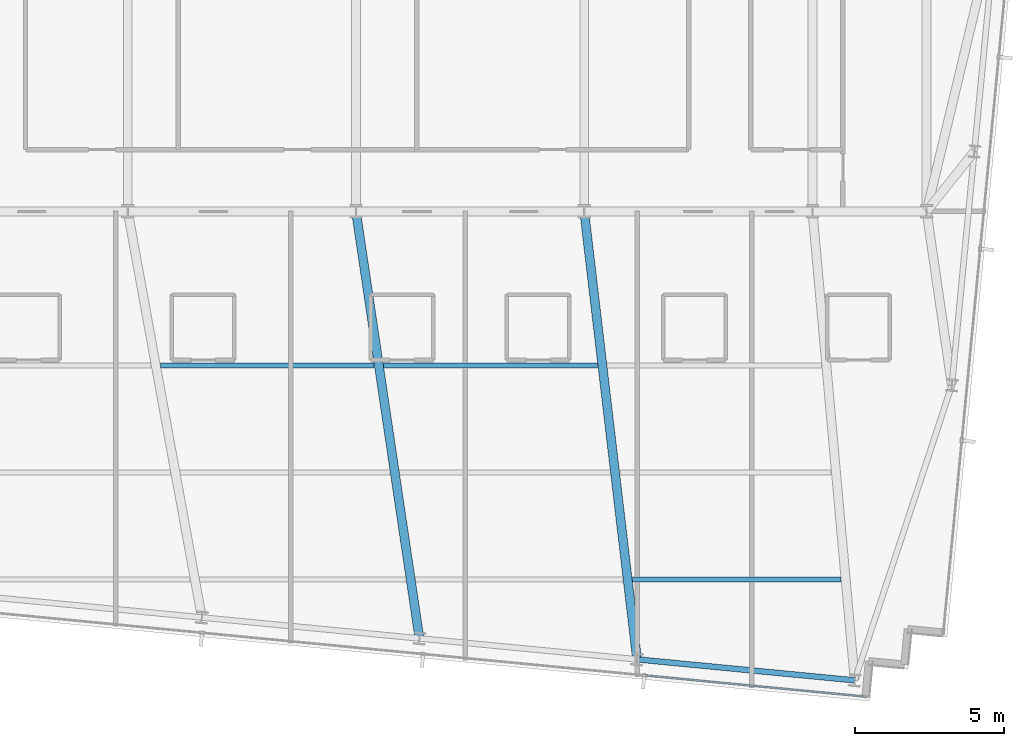
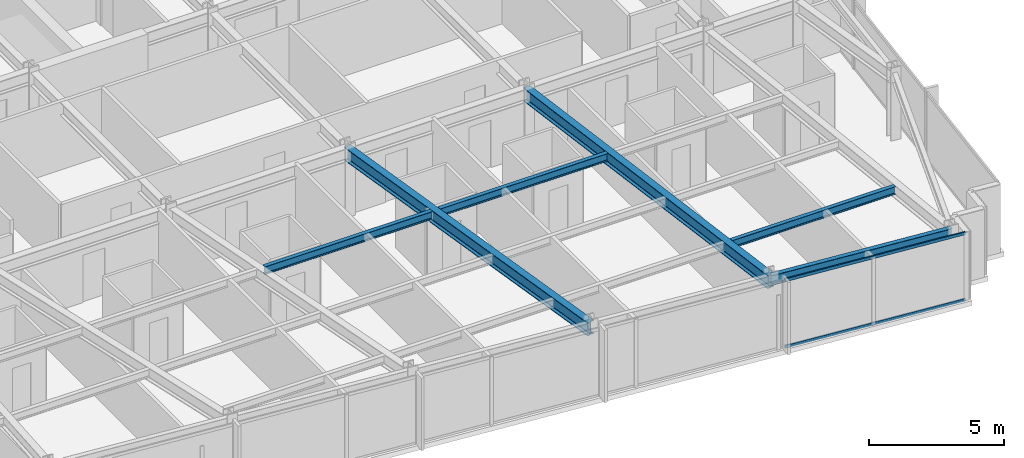
# One storey, part 13 of 38: 6 beams, 2 members, 1 element without a shape of its own.
"""IFC4 building model written with IfcOpenShell, lengths in metres."""

from ifc_helpers import new_model, si_unit, direction, frame, origin, origin_2d, place, context, subcontext, project, spatial, hollow_rectangle, i_section, extrude, material, material_profile, profile_set, type_object, element, aggregate, save


model = new_model("IFC4")

# Units and contexts
model_context = context("Model", 3, precision=1e-05, world=origin(), true_north=direction((0.0, 1.0)))
body_context = subcontext(model_context, "Body", "Model", "MODEL_VIEW")
ifc_project = project(units=[si_unit("LENGTHUNIT", "METRE"), si_unit("AREAUNIT", "SQUARE_METRE"), si_unit("VOLUMEUNIT", "CUBIC_METRE"), si_unit("PLANEANGLEUNIT", "RADIAN"), si_unit("MASSUNIT", "GRAM", prefix="KILO")], contexts=[model_context])

# Site, building, storey
site_placement = place(None, origin())
site = spatial("IfcSite", under=ifc_project, at=site_placement, CompositionType="ELEMENT")
building_placement = place(site_placement, origin())
building = spatial("IfcBuilding", under=site, at=building_placement, Name="Yelkora Congress Tower", CompositionType="ELEMENT")
storey_placement = place(building_placement, frame((0.0, 0.0, 155.60009765625)))
storey = spatial("IfcBuildingStorey", under=building, at=storey_placement, Name="L42", CompositionType="ELEMENT", Elevation=155.60009765625)

# Beams
ifc_material_1 = material(Name="Steel S355J2", Category="steel")
ifc_material_profile_1 = material_profile(ifc_material_1, i_section(OverallWidth=0.300048828125, OverallDepth=0.60009765625, WebThickness=0.015380859375, FlangeThickness=0.030029296875, FilletRadius=0.027099609375, at=origin_2d()), Name="HEB 600")
ifc_profile_set_1 = profile_set([ifc_material_profile_1], Name="Steel S355J2")
beam_type_1 = type_object("IfcBeamType", Name="BM-GIRD-HEB600", PredefinedType="BEAM", material=ifc_profile_set_1)
beam_1_placement = place(storey_placement, frame((40.53564453125, 10.83154296875, 2.77978515625), z_axis=(-0.147026183693, 0.989132600468, 0.0), x_axis=(-0.989132600468, -0.147026183693, 0.0)))
element("IfcBeam", 1, at=beam_1_placement, inside=storey, type_object=beam_type_1, Name="L42 Primary Frame Girder S06", PredefinedType="BEAM", context=body_context, shape_type="SweptSolid", body=[
    extrude(i_section(OverallWidth=0.300048828125, OverallDepth=0.60009765625, WebThickness=0.015380859375, FlangeThickness=0.030029296875, FilletRadius=0.027099609375, at=origin_2d()), origin(), (0.0, 0.0, 1.0), 14.5263671875),
])
beam_2_placement = place(storey_placement, frame((47.85888671875, 10.12646484375, 2.77978515625), z_axis=(-0.117195880411, 0.993108818617, 0.0), x_axis=(-0.993108818617, -0.117195880411, 0.0)))
element("IfcBeam", 2, at=beam_2_placement, inside=storey, type_object=beam_type_1, Name="L42 Primary Frame Girder S07", PredefinedType="BEAM", context=body_context, shape_type="SweptSolid", body=[
    extrude(i_section(OverallWidth=0.300048828125, OverallDepth=0.60009765625, WebThickness=0.015380859375, FlangeThickness=0.030029296875, FilletRadius=0.027099609375, at=origin_2d()), origin(), (0.0, 0.0, 1.0), 15.177978515625),
])
ifc_material_profile_2 = material_profile(ifc_material_1, i_section(OverallWidth=0.169921875, OverallDepth=0.360107421875, WebThickness=0.008056640625, FlangeThickness=0.0126953125, FilletRadius=0.01806640625, at=origin_2d()), Name="IPE 360")
ifc_profile_set_2 = profile_set([ifc_material_profile_2], Name="Steel S355J2")
beam_type_2 = type_object("IfcBeamType", Name="BM-JOIST-IPE360", PredefinedType="JOIST", material=ifc_profile_set_2)
beam_3_placement = place(storey_placement, frame((47.700927734375, 12.8212890625, 2.89990234375), z_axis=(1.0, 0.0, 0.0), x_axis=(0.0, 1.0, 0.0)))
element("IfcBeam", 3, at=beam_3_placement, inside=storey, type_object=beam_type_2, Name="L42 Composite Floor Joist 4", PredefinedType="JOIST", context=body_context, shape_type="SweptSolid", body=[
    extrude(i_section(OverallWidth=0.169921875, OverallDepth=0.360107421875, WebThickness=0.008056640625, FlangeThickness=0.0126953125, FilletRadius=0.01806640625, at=origin_2d()), origin(), (0.0, 0.0, 1.0), 7.014892578125),
])
beam_4_placement = place(storey_placement, frame((31.82470703125, 20.021240234375, 2.89990234375), z_axis=(1.0, 0.0, 0.0), x_axis=(0.0, 1.0, 0.0)))
element("IfcBeam", 4, at=beam_4_placement, inside=storey, type_object=beam_type_2, Name="L42 Composite Floor Joist 16", PredefinedType="JOIST", context=body_context, shape_type="SweptSolid", body=[
    extrude(i_section(OverallWidth=0.169921875, OverallDepth=0.360107421875, WebThickness=0.008056640625, FlangeThickness=0.0126953125, FilletRadius=0.01806640625, at=origin_2d()), origin(), (0.0, 0.0, 1.0), 7.18505859375),
])
beam_5_placement = place(storey_placement, frame((39.32958984375, 20.021240234375, 2.89990234375), z_axis=(1.0, 0.0, 0.0), x_axis=(0.0, 1.0, 0.0)))
element("IfcBeam", 5, at=beam_5_placement, inside=storey, type_object=beam_type_2, Name="L42 Composite Floor Joist 17", PredefinedType="JOIST", context=body_context, shape_type="SweptSolid", body=[
    extrude(i_section(OverallWidth=0.169921875, OverallDepth=0.360107421875, WebThickness=0.008056640625, FlangeThickness=0.0126953125, FilletRadius=0.01806640625, at=origin_2d()), origin(), (0.0, 0.0, 1.0), 7.20166015625),
])
ifc_material_profile_3 = material_profile(ifc_material_1, i_section(OverallWidth=0.18994140625, OverallDepth=0.449951171875, WebThickness=0.009521484375, FlangeThickness=0.0146484375, FilletRadius=0.02099609375, at=origin_2d()), Name="IPE 450")
ifc_profile_set_3 = profile_set([ifc_material_profile_3], Name="Steel S355J2")
beam_type_3 = type_object("IfcBeamType", Name="BM-SPAN-IPE450", PredefinedType="SPANDREL", material=ifc_profile_set_3)
beam_6_placement = place(storey_placement, frame((47.85888671875, 10.12646484375, 2.85498046875), z_axis=(0.995393938538, -0.095869218844, 0.0), x_axis=(0.095869218844, 0.995393938538, 0.0)))
element("IfcBeam", 6, at=beam_6_placement, inside=storey, type_object=beam_type_3, Name="L42 Perimeter Beam 8", PredefinedType="SPANDREL", context=body_context, shape_type="SweptSolid", body=[
    extrude(i_section(OverallWidth=0.18994140625, OverallDepth=0.449951171875, WebThickness=0.009521484375, FlangeThickness=0.0146484375, FilletRadius=0.02099609375, at=origin_2d()), origin(), (0.0, 0.0, 1.0), 7.357177734375),
])

# Curtain wall, members
ifc_material_2 = material(Name="Anodised aluminium and insulated glass", Category="aluminium")
curtain_wall_type = type_object("IfcCurtainWallType", Name="CW-SYS-B3", PredefinedType="NOTDEFINED", material=ifc_material_2)
curtain_wall_placement = place(storey_placement, origin())
curtain_wall = element("IfcCurtainWall", 7, at=curtain_wall_placement, inside=storey, type_object=curtain_wall_type, Name="L42 Unitised Curtain Wall 20", PredefinedType="NOTDEFINED")
ifc_material_3 = material(Name="Anodised aluminium 6063-T6", Category="aluminium")
ifc_material_profile_4 = material_profile(ifc_material_3, hollow_rectangle(XDim=0.06005859375, YDim=0.1298828125, WallThickness=0.00390625, at=origin_2d()), Name="ALU 60x130x4")
ifc_profile_set_4 = profile_set([ifc_material_profile_4], Name="Anodised aluminium 6063-T6")
member_type = type_object("IfcMemberType", Name="MEM-TR-B3", PredefinedType="USERDEFINED", material=ifc_profile_set_4)
member_1_placement = place(storey_placement, frame((55.4716796875, 8.881103515625, 0.02978515625), z_axis=(-0.995396212442, 0.095845606344, 0.0), x_axis=(-0.095845606344, -0.995396212442, 0.0)))
member_1 = element("IfcMember", 8, at=member_1_placement, type_object=member_type, Name="CW-B3 transom 1.1", ObjectType="TRANSOM", PredefinedType="USERDEFINED", context=body_context, shape_type="SweptSolid", body=[
    extrude(hollow_rectangle(XDim=0.06005859375, YDim=0.1298828125, WallThickness=0.00390625, at=origin_2d()), origin(), (0.0, 0.0, 1.0), 7.369140625),
])
member_2_placement = place(storey_placement, frame((55.4716796875, 8.881103515625, 3.0498046875), z_axis=(-0.995396212442, 0.095845606344, 0.0), x_axis=(-0.095845606344, -0.995396212442, 0.0)))
member_2 = element("IfcMember", 9, at=member_2_placement, type_object=member_type, Name="CW-B3 transom 1.2", ObjectType="TRANSOM", PredefinedType="USERDEFINED", context=body_context, shape_type="SweptSolid", body=[
    extrude(hollow_rectangle(XDim=0.06005859375, YDim=0.1298828125, WallThickness=0.00390625, at=origin_2d()), origin(), (0.0, 0.0, 1.0), 7.369140625),
])
aggregate(curtain_wall, [member_1, member_2])

save(model, "model.ifc")
